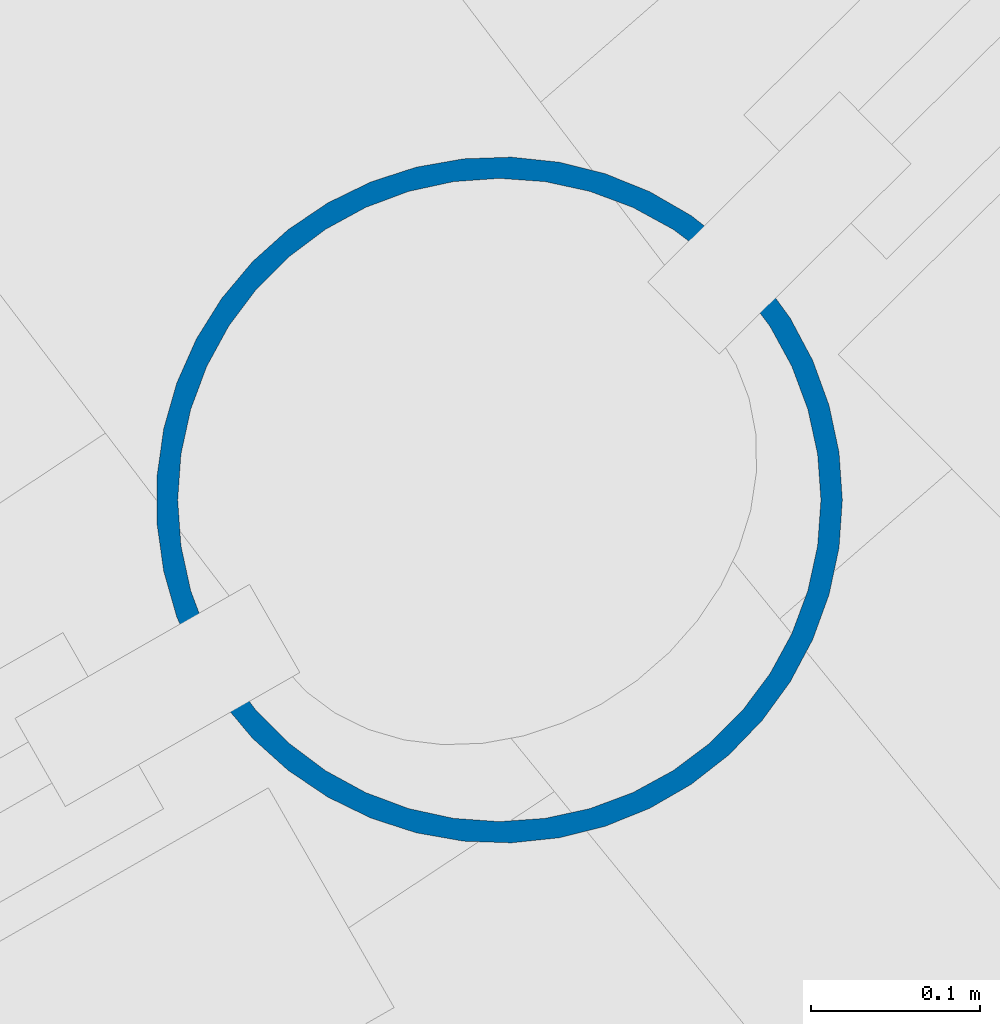
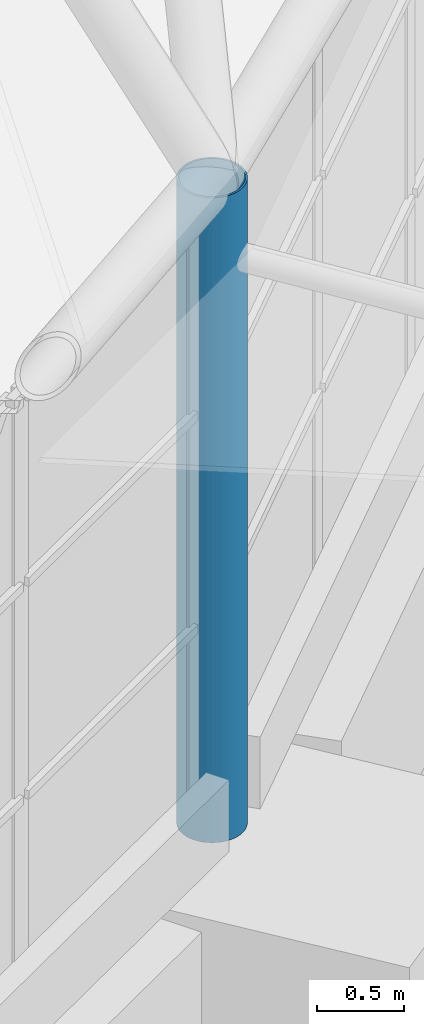
# One storey, part 35 of 226: 1 column.
"""IFC4 building model written with IfcOpenShell, lengths in metres."""

from ifc_helpers import new_model, si_unit, direction, frame, origin, origin_2d, place, context, subcontext, project, spatial, hollow_circle, extrude, material, material_profile, profile_set, type_object, element, save


model = new_model("IFC4")

# Units and contexts
model_context = context("Model", 3, precision=1e-05, world=origin(), true_north=direction((0.0, 1.0)))
body_context = subcontext(model_context, "Body", "Model", "MODEL_VIEW")
ifc_project = project(units=[si_unit("LENGTHUNIT", "METRE"), si_unit("AREAUNIT", "SQUARE_METRE"), si_unit("VOLUMEUNIT", "CUBIC_METRE"), si_unit("PLANEANGLEUNIT", "RADIAN"), si_unit("MASSUNIT", "GRAM", prefix="KILO")], contexts=[model_context])

# Site, building, storey
site_placement = place(None, origin())
site = spatial("IfcSite", under=ifc_project, at=site_placement, CompositionType="ELEMENT")
building_placement = place(site_placement, origin())
building = spatial("IfcBuilding", under=site, at=building_placement, Name="Ceibo Conservatory and Research Tower", CompositionType="ELEMENT")
storey_placement = place(building_placement, origin())
storey = spatial("IfcBuildingStorey", under=building, at=storey_placement, Name="L00", CompositionType="ELEMENT", Elevation=0.0)

# Column
ifc_material = material(Name="Steel ASTM A500 Gr C", Category="steel")
ifc_material_profile = material_profile(ifc_material, hollow_circle(Radius=0.203125, WallThickness=0.0126953125, at=origin_2d()), Name="CHS column 406.4x12.70")
ifc_profile_set = profile_set([ifc_material_profile], Name="Steel ASTM A500 Gr C")
column_type = type_object("IfcColumnType", Name="CHS column 406.4x12.70", PredefinedType="COLUMN", material=ifc_profile_set)
column_placement = place(storey_placement, frame((180.211669921875, 76.159912109375, 0.0), z_axis=(0.0, 0.0, 1.0), x_axis=(1.0, 0.0, 0.0)))
element("IfcColumn", 1, at=column_placement, inside=storey, type_object=column_type, Name="Drum column A-DC21", PredefinedType="COLUMN", context=body_context, shape_type="SweptSolid", body=[
    extrude(hollow_circle(Radius=0.203125, WallThickness=0.0126953125, at=origin_2d()), origin(), (0.0, 0.0, 1.0), 4.5),
])

save(model, "model.ifc")
